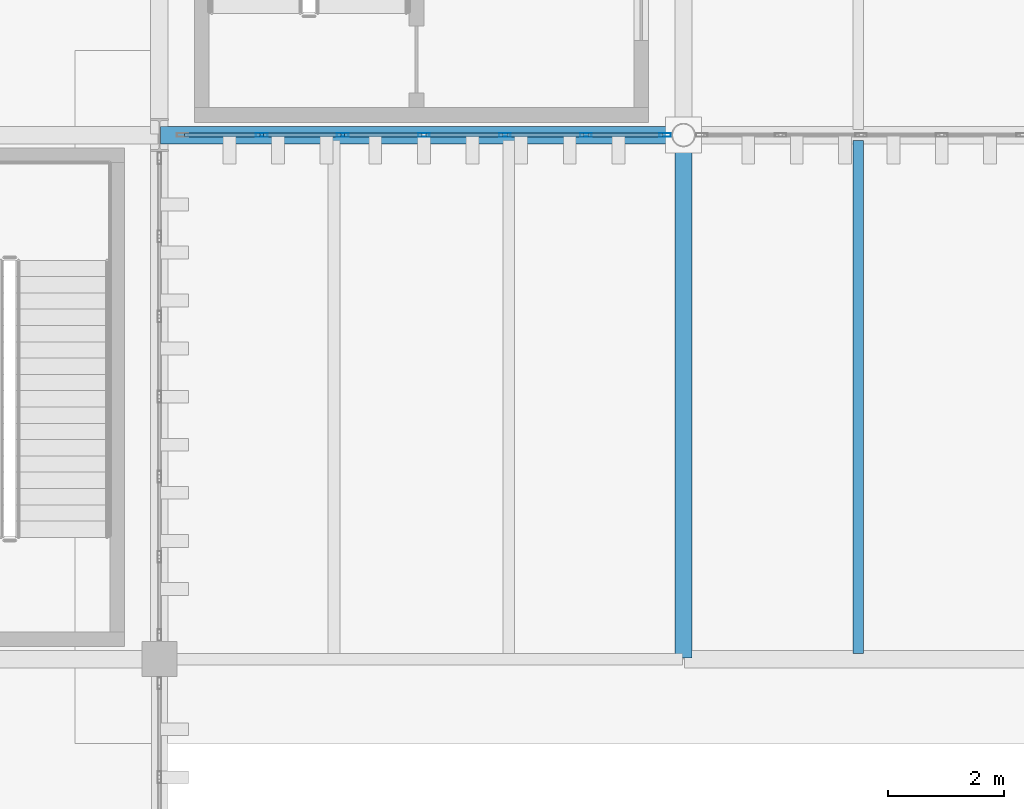
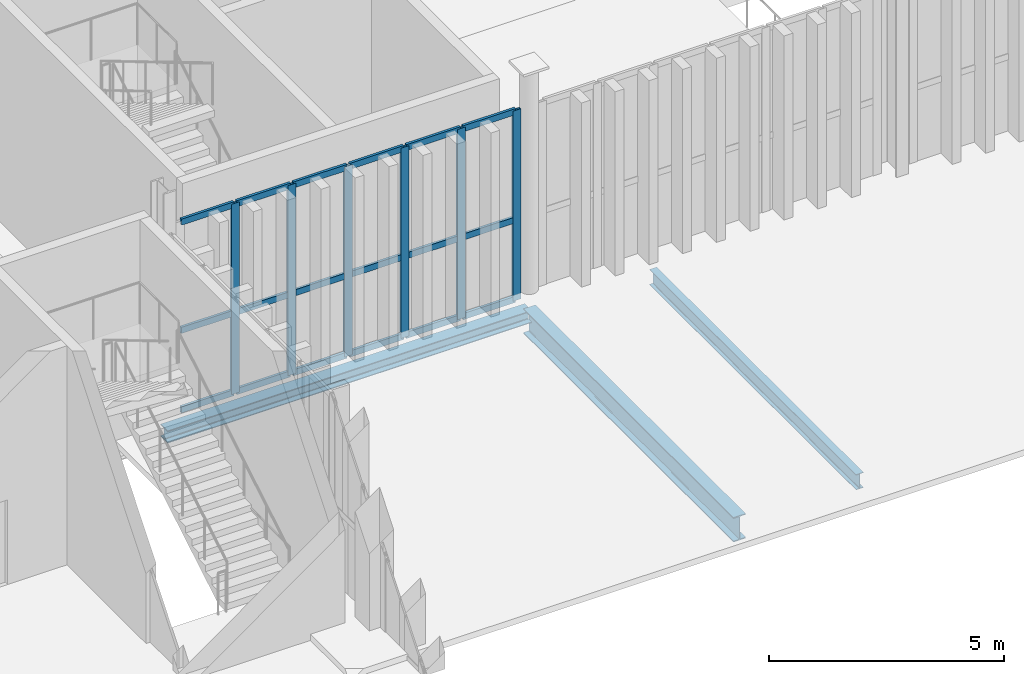
# One storey, part 61 of 211: 24 members, 3 beams, 1 element without a shape of its own.
"""IFC4 building model written with IfcOpenShell, lengths in metres."""

from ifc_helpers import new_model, si_unit, direction, frame, origin, origin_2d, place, context, subcontext, project, spatial, hollow_rectangle, i_section, extrude, material, layer, layer_set, material_profile, profile_set, type_object, element, aggregate, save


model = new_model("IFC4")

# Units and contexts
model_context = context("Model", 3, precision=1e-05, world=origin(), true_north=direction((0.0, 1.0)))
body_context = subcontext(model_context, "Body", "Model", "MODEL_VIEW")
ifc_project = project(units=[si_unit("LENGTHUNIT", "METRE"), si_unit("AREAUNIT", "SQUARE_METRE"), si_unit("VOLUMEUNIT", "CUBIC_METRE"), si_unit("PLANEANGLEUNIT", "RADIAN"), si_unit("MASSUNIT", "GRAM", prefix="KILO")], contexts=[model_context])

# Site, building, storey
site_placement = place(None, origin())
site = spatial("IfcSite", under=ifc_project, at=site_placement, CompositionType="ELEMENT")
building_placement = place(site_placement, origin())
building = spatial("IfcBuilding", under=site, at=building_placement, Name="Barlavento Convention Centre", CompositionType="ELEMENT")
storey_placement = place(building_placement, frame((0.0, 0.0, 6.0)))
storey = spatial("IfcBuildingStorey", under=building, at=storey_placement, Name="L01", CompositionType="ELEMENT", Elevation=6.0)

# Curtain wall, members
ifc_material_1 = material(Name="Powder-coated aluminium and Low-E glass", Category="aluminium")
ifc_layer = layer(ifc_material_1, 0.195068359375)
ifc_layer_set = layer_set([ifc_layer], Name="ARC-CW-FOY-L01")
curtain_wall_type = type_object("IfcCurtainWallType", Name="ARC-CW-FOY-L01", PredefinedType="NOTDEFINED", material=ifc_layer_set)
curtain_wall_placement = place(storey_placement, origin())
curtain_wall = element("IfcCurtainWall", 1, at=curtain_wall_placement, inside=storey, type_object=curtain_wall_type, Name="L01 unitised curtain wall CW03", PredefinedType="NOTDEFINED")
ifc_material_2 = material(Name="Powder-coated aluminium", Category="aluminium")
ifc_material_profile_1 = material_profile(ifc_material_2, hollow_rectangle(XDim=0.06494140625, YDim=0.199951171875, WallThickness=0.0048828125, at=origin_2d()), Name="AL-MULL 65x200x5")
ifc_profile_set_1 = profile_set([ifc_material_profile_1], Name="Powder-coated aluminium")
member_type_1 = type_object("IfcMemberType", Name="ARC-CWM-65X200", PredefinedType="MULLION", material=ifc_profile_set_1)
member_1_placement = place(storey_placement, frame((64.7578125, 45.0, 0.0), z_axis=(0.0, 0.0, 1.0), x_axis=(0.0, 1.0, 0.0)))
member_1 = element("IfcMember", 2, at=member_1_placement, type_object=member_type_1, Name="CW03 mullion 2", PredefinedType="MULLION", context=body_context, shape_type="SweptSolid", body=[
    extrude(hollow_rectangle(XDim=0.06494140625, YDim=0.199951171875, WallThickness=0.0048828125, at=origin_2d()), origin(), (0.0, 0.0, 1.0), 4.949951171875),
])
member_2_placement = place(storey_placement, frame((66.149658203125, 45.0, 0.0), z_axis=(0.0, 0.0, 1.0), x_axis=(0.0, 1.0, 0.0)))
member_2 = element("IfcMember", 3, at=member_2_placement, type_object=member_type_1, Name="CW03 mullion 3", PredefinedType="MULLION", context=body_context, shape_type="SweptSolid", body=[
    extrude(hollow_rectangle(XDim=0.06494140625, YDim=0.199951171875, WallThickness=0.0048828125, at=origin_2d()), origin(), (0.0, 0.0, 1.0), 4.949951171875),
])
member_3_placement = place(storey_placement, frame((67.54150390625, 45.0, 0.0), z_axis=(0.0, 0.0, 1.0), x_axis=(0.0, 1.0, 0.0)))
member_3 = element("IfcMember", 4, at=member_3_placement, type_object=member_type_1, Name="CW03 mullion 4", PredefinedType="MULLION", context=body_context, shape_type="SweptSolid", body=[
    extrude(hollow_rectangle(XDim=0.06494140625, YDim=0.199951171875, WallThickness=0.0048828125, at=origin_2d()), origin(), (0.0, 0.0, 1.0), 4.949951171875),
])
member_4_placement = place(storey_placement, frame((68.93310546875, 45.0, 0.0), z_axis=(0.0, 0.0, 1.0), x_axis=(0.0, 1.0, 0.0)))
member_4 = element("IfcMember", 5, at=member_4_placement, type_object=member_type_1, Name="CW03 mullion 5", PredefinedType="MULLION", context=body_context, shape_type="SweptSolid", body=[
    extrude(hollow_rectangle(XDim=0.06494140625, YDim=0.199951171875, WallThickness=0.0048828125, at=origin_2d()), origin(), (0.0, 0.0, 1.0), 4.949951171875),
])
member_5_placement = place(storey_placement, frame((70.324951171875, 45.0, 0.0), z_axis=(0.0, 0.0, 1.0), x_axis=(0.0, 1.0, 0.0)))
member_5 = element("IfcMember", 6, at=member_5_placement, type_object=member_type_1, Name="CW03 mullion 6", PredefinedType="MULLION", context=body_context, shape_type="SweptSolid", body=[
    extrude(hollow_rectangle(XDim=0.06494140625, YDim=0.199951171875, WallThickness=0.0048828125, at=origin_2d()), origin(), (0.0, 0.0, 1.0), 4.949951171875),
])
member_6_placement = place(storey_placement, frame((71.684326171875, 45.0, 0.0), z_axis=(0.0, 0.0, 1.0), x_axis=(0.0, 1.0, 0.0)))
member_6 = element("IfcMember", 7, at=member_6_placement, type_object=member_type_1, Name="CW03 mullion 7", PredefinedType="MULLION", context=body_context, shape_type="SweptSolid", body=[
    extrude(hollow_rectangle(XDim=0.06494140625, YDim=0.199951171875, WallThickness=0.0048828125, at=origin_2d()), origin(), (0.0, 0.0, 1.0), 4.949951171875),
])
ifc_material_profile_2 = material_profile(ifc_material_2, hollow_rectangle(XDim=0.06494140625, YDim=0.159912109375, WallThickness=0.0048828125, at=origin_2d()), Name="AL-TRAN 65x160x5")
ifc_profile_set_2 = profile_set([ifc_material_profile_2], Name="Powder-coated aluminium")
member_type_2 = type_object("IfcMemberType", Name="ARC-CWT-65X160", PredefinedType="USERDEFINED", material=ifc_profile_set_2)
member_7_placement = place(storey_placement, frame((63.430908203125, 45.0, 0.032470703125), z_axis=(1.0, 0.0, 0.0), x_axis=(0.0, 1.0, 0.0)))
member_7 = element("IfcMember", 8, at=member_7_placement, type_object=member_type_2, Name="CW03 transom 1.1", ObjectType="TRANSOM", PredefinedType="USERDEFINED", context=body_context, shape_type="SweptSolid", body=[
    extrude(hollow_rectangle(XDim=0.06494140625, YDim=0.159912109375, WallThickness=0.0048828125, at=origin_2d()), origin(), (0.0, 0.0, 1.0), 1.29443359375),
])
member_8_placement = place(storey_placement, frame((63.430908203125, 45.0, 2.10009765625), z_axis=(1.0, 0.0, 0.0), x_axis=(0.0, 1.0, 0.0)))
member_8 = element("IfcMember", 9, at=member_8_placement, type_object=member_type_2, Name="CW03 transom 1.2", ObjectType="TRANSOM", PredefinedType="USERDEFINED", context=body_context, shape_type="SweptSolid", body=[
    extrude(hollow_rectangle(XDim=0.06494140625, YDim=0.159912109375, WallThickness=0.0048828125, at=origin_2d()), origin(), (0.0, 0.0, 1.0), 1.29443359375),
])
member_9_placement = place(storey_placement, frame((63.430908203125, 45.0, 4.91748046875), z_axis=(1.0, 0.0, 0.0), x_axis=(0.0, 1.0, 0.0)))
member_9 = element("IfcMember", 10, at=member_9_placement, type_object=member_type_2, Name="CW03 transom 1.3", ObjectType="TRANSOM", PredefinedType="USERDEFINED", context=body_context, shape_type="SweptSolid", body=[
    extrude(hollow_rectangle(XDim=0.06494140625, YDim=0.159912109375, WallThickness=0.0048828125, at=origin_2d()), origin(), (0.0, 0.0, 1.0), 1.29443359375),
])
member_10_placement = place(storey_placement, frame((64.790283203125, 45.0, 0.032470703125), z_axis=(1.0, 0.0, 0.0), x_axis=(0.0, 1.0, 0.0)))
member_10 = element("IfcMember", 11, at=member_10_placement, type_object=member_type_2, Name="CW03 transom 2.1", ObjectType="TRANSOM", PredefinedType="USERDEFINED", context=body_context, shape_type="SweptSolid", body=[
    extrude(hollow_rectangle(XDim=0.06494140625, YDim=0.159912109375, WallThickness=0.0048828125, at=origin_2d()), origin(), (0.0, 0.0, 1.0), 1.326904296875),
])
member_11_placement = place(storey_placement, frame((64.790283203125, 45.0, 2.10009765625), z_axis=(1.0, 0.0, 0.0), x_axis=(0.0, 1.0, 0.0)))
member_11 = element("IfcMember", 12, at=member_11_placement, type_object=member_type_2, Name="CW03 transom 2.2", ObjectType="TRANSOM", PredefinedType="USERDEFINED", context=body_context, shape_type="SweptSolid", body=[
    extrude(hollow_rectangle(XDim=0.06494140625, YDim=0.159912109375, WallThickness=0.0048828125, at=origin_2d()), origin(), (0.0, 0.0, 1.0), 1.326904296875),
])
member_12_placement = place(storey_placement, frame((64.790283203125, 45.0, 4.91748046875), z_axis=(1.0, 0.0, 0.0), x_axis=(0.0, 1.0, 0.0)))
member_12 = element("IfcMember", 13, at=member_12_placement, type_object=member_type_2, Name="CW03 transom 2.3", ObjectType="TRANSOM", PredefinedType="USERDEFINED", context=body_context, shape_type="SweptSolid", body=[
    extrude(hollow_rectangle(XDim=0.06494140625, YDim=0.159912109375, WallThickness=0.0048828125, at=origin_2d()), origin(), (0.0, 0.0, 1.0), 1.326904296875),
])
member_13_placement = place(storey_placement, frame((66.18212890625, 45.0, 0.032470703125), z_axis=(1.0, 0.0, 0.0), x_axis=(0.0, 1.0, 0.0)))
member_13 = element("IfcMember", 14, at=member_13_placement, type_object=member_type_2, Name="CW03 transom 3.1", ObjectType="TRANSOM", PredefinedType="USERDEFINED", context=body_context, shape_type="SweptSolid", body=[
    extrude(hollow_rectangle(XDim=0.06494140625, YDim=0.159912109375, WallThickness=0.0048828125, at=origin_2d()), origin(), (0.0, 0.0, 1.0), 1.32666015625),
])
member_14_placement = place(storey_placement, frame((66.18212890625, 45.0, 2.10009765625), z_axis=(1.0, 0.0, 0.0), x_axis=(0.0, 1.0, 0.0)))
member_14 = element("IfcMember", 15, at=member_14_placement, type_object=member_type_2, Name="CW03 transom 3.2", ObjectType="TRANSOM", PredefinedType="USERDEFINED", context=body_context, shape_type="SweptSolid", body=[
    extrude(hollow_rectangle(XDim=0.06494140625, YDim=0.159912109375, WallThickness=0.0048828125, at=origin_2d()), origin(), (0.0, 0.0, 1.0), 1.32666015625),
])
member_15_placement = place(storey_placement, frame((66.18212890625, 45.0, 4.91748046875), z_axis=(1.0, 0.0, 0.0), x_axis=(0.0, 1.0, 0.0)))
member_15 = element("IfcMember", 16, at=member_15_placement, type_object=member_type_2, Name="CW03 transom 3.3", ObjectType="TRANSOM", PredefinedType="USERDEFINED", context=body_context, shape_type="SweptSolid", body=[
    extrude(hollow_rectangle(XDim=0.06494140625, YDim=0.159912109375, WallThickness=0.0048828125, at=origin_2d()), origin(), (0.0, 0.0, 1.0), 1.32666015625),
])
member_16_placement = place(storey_placement, frame((67.573974609375, 45.0, 0.032470703125), z_axis=(1.0, 0.0, 0.0), x_axis=(0.0, 1.0, 0.0)))
member_16 = element("IfcMember", 17, at=member_16_placement, type_object=member_type_2, Name="CW03 transom 4.1", ObjectType="TRANSOM", PredefinedType="USERDEFINED", context=body_context, shape_type="SweptSolid", body=[
    extrude(hollow_rectangle(XDim=0.06494140625, YDim=0.159912109375, WallThickness=0.0048828125, at=origin_2d()), origin(), (0.0, 0.0, 1.0), 1.32666015625),
])
member_17_placement = place(storey_placement, frame((67.573974609375, 45.0, 2.10009765625), z_axis=(1.0, 0.0, 0.0), x_axis=(0.0, 1.0, 0.0)))
member_17 = element("IfcMember", 18, at=member_17_placement, type_object=member_type_2, Name="CW03 transom 4.2", ObjectType="TRANSOM", PredefinedType="USERDEFINED", context=body_context, shape_type="SweptSolid", body=[
    extrude(hollow_rectangle(XDim=0.06494140625, YDim=0.159912109375, WallThickness=0.0048828125, at=origin_2d()), origin(), (0.0, 0.0, 1.0), 1.32666015625),
])
member_18_placement = place(storey_placement, frame((67.573974609375, 45.0, 4.91748046875), z_axis=(1.0, 0.0, 0.0), x_axis=(0.0, 1.0, 0.0)))
member_18 = element("IfcMember", 19, at=member_18_placement, type_object=member_type_2, Name="CW03 transom 4.3", ObjectType="TRANSOM", PredefinedType="USERDEFINED", context=body_context, shape_type="SweptSolid", body=[
    extrude(hollow_rectangle(XDim=0.06494140625, YDim=0.159912109375, WallThickness=0.0048828125, at=origin_2d()), origin(), (0.0, 0.0, 1.0), 1.32666015625),
])
member_19_placement = place(storey_placement, frame((68.9658203125, 45.0, 0.032470703125), z_axis=(1.0, 0.0, 0.0), x_axis=(0.0, 1.0, 0.0)))
member_19 = element("IfcMember", 20, at=member_19_placement, type_object=member_type_2, Name="CW03 transom 5.1", ObjectType="TRANSOM", PredefinedType="USERDEFINED", context=body_context, shape_type="SweptSolid", body=[
    extrude(hollow_rectangle(XDim=0.06494140625, YDim=0.159912109375, WallThickness=0.0048828125, at=origin_2d()), origin(), (0.0, 0.0, 1.0), 1.32666015625),
])
member_20_placement = place(storey_placement, frame((68.9658203125, 45.0, 2.10009765625), z_axis=(1.0, 0.0, 0.0), x_axis=(0.0, 1.0, 0.0)))
member_20 = element("IfcMember", 21, at=member_20_placement, type_object=member_type_2, Name="CW03 transom 5.2", ObjectType="TRANSOM", PredefinedType="USERDEFINED", context=body_context, shape_type="SweptSolid", body=[
    extrude(hollow_rectangle(XDim=0.06494140625, YDim=0.159912109375, WallThickness=0.0048828125, at=origin_2d()), origin(), (0.0, 0.0, 1.0), 1.32666015625),
])
member_21_placement = place(storey_placement, frame((68.9658203125, 45.0, 4.91748046875), z_axis=(1.0, 0.0, 0.0), x_axis=(0.0, 1.0, 0.0)))
member_21 = element("IfcMember", 22, at=member_21_placement, type_object=member_type_2, Name="CW03 transom 5.3", ObjectType="TRANSOM", PredefinedType="USERDEFINED", context=body_context, shape_type="SweptSolid", body=[
    extrude(hollow_rectangle(XDim=0.06494140625, YDim=0.159912109375, WallThickness=0.0048828125, at=origin_2d()), origin(), (0.0, 0.0, 1.0), 1.32666015625),
])
member_22_placement = place(storey_placement, frame((70.357421875, 45.0, 0.032470703125), z_axis=(1.0, 0.0, 0.0), x_axis=(0.0, 1.0, 0.0)))
member_22 = element("IfcMember", 23, at=member_22_placement, type_object=member_type_2, Name="CW03 transom 6.1", ObjectType="TRANSOM", PredefinedType="USERDEFINED", context=body_context, shape_type="SweptSolid", body=[
    extrude(hollow_rectangle(XDim=0.06494140625, YDim=0.159912109375, WallThickness=0.0048828125, at=origin_2d()), origin(), (0.0, 0.0, 1.0), 1.29443359375),
])
member_23_placement = place(storey_placement, frame((70.357421875, 45.0, 2.10009765625), z_axis=(1.0, 0.0, 0.0), x_axis=(0.0, 1.0, 0.0)))
member_23 = element("IfcMember", 24, at=member_23_placement, type_object=member_type_2, Name="CW03 transom 6.2", ObjectType="TRANSOM", PredefinedType="USERDEFINED", context=body_context, shape_type="SweptSolid", body=[
    extrude(hollow_rectangle(XDim=0.06494140625, YDim=0.159912109375, WallThickness=0.0048828125, at=origin_2d()), origin(), (0.0, 0.0, 1.0), 1.29443359375),
])
member_24_placement = place(storey_placement, frame((70.357421875, 45.0, 4.91748046875), z_axis=(1.0, 0.0, 0.0), x_axis=(0.0, 1.0, 0.0)))
member_24 = element("IfcMember", 25, at=member_24_placement, type_object=member_type_2, Name="CW03 transom 6.3", ObjectType="TRANSOM", PredefinedType="USERDEFINED", context=body_context, shape_type="SweptSolid", body=[
    extrude(hollow_rectangle(XDim=0.06494140625, YDim=0.159912109375, WallThickness=0.0048828125, at=origin_2d()), origin(), (0.0, 0.0, 1.0), 1.29443359375),
])
aggregate(curtain_wall, [member_1, member_2, member_3, member_4, member_5, member_6, member_7, member_8, member_9, member_10, member_11, member_12, member_13, member_14, member_15, member_16, member_17, member_18, member_19, member_20, member_21, member_22, member_23, member_24])

# Beams
ifc_material_3 = material(Name="Steel S355", Category="steel")
ifc_material_profile_3 = material_profile(ifc_material_3, i_section(OverallWidth=0.179931640625, OverallDepth=0.39990234375, WebThickness=0.008544921875, FlangeThickness=0.013427734375, FilletRadius=0.02099609375, at=origin_2d()), Name="IPE 400")
ifc_profile_set_3 = profile_set([ifc_material_profile_3], Name="Steel S355")
beam_type_1 = type_object("IfcBeamType", Name="STR-BM-JST-IPE400", PredefinedType="JOIST", material=ifc_profile_set_3)
beam_1_placement = place(storey_placement, frame((75.0, 36.094970703125, -0.489990234375), z_axis=(0.0, 1.0, 0.0), x_axis=(-1.0, 0.0, 0.0)))
element("IfcBeam", 26, at=beam_1_placement, inside=storey, type_object=beam_type_1, Name="L01 composite floor joist SJ04", PredefinedType="JOIST", context=body_context, shape_type="SweptSolid", body=[
    extrude(i_section(OverallWidth=0.179931640625, OverallDepth=0.39990234375, WebThickness=0.008544921875, FlangeThickness=0.013427734375, FilletRadius=0.02099609375, at=origin_2d()), origin(), (0.0, 0.0, 1.0), 8.81005859375),
])
ifc_material_profile_4 = material_profile(ifc_material_3, i_section(OverallWidth=0.300048828125, OverallDepth=0.639892578125, WebThickness=0.013427734375, FlangeThickness=0.02587890625, FilletRadius=0.027099609375, at=origin_2d()), Name="HEA 650")
ifc_profile_set_4 = profile_set([ifc_material_profile_4], Name="Steel S355")
beam_type_2 = type_object("IfcBeamType", Name="STR-BM-PRI-HEA650", PredefinedType="BEAM", material=ifc_profile_set_4)
beam_2_placement = place(storey_placement, frame((72.0, 36.02001953125, -0.610107421875), z_axis=(0.0, 1.0, 0.0), x_axis=(-1.0, 0.0, 0.0)))
element("IfcBeam", 27, at=beam_2_placement, inside=storey, type_object=beam_type_2, Name="L01 grid girder BG17", PredefinedType="BEAM", context=body_context, shape_type="SweptSolid", body=[
    extrude(i_section(OverallWidth=0.300048828125, OverallDepth=0.639892578125, WebThickness=0.013427734375, FlangeThickness=0.02587890625, FilletRadius=0.027099609375, at=origin_2d()), origin(), (0.0, 0.0, 1.0), 8.9599609375),
])
ifc_material_profile_5 = material_profile(ifc_material_3, i_section(OverallWidth=0.300048828125, OverallDepth=0.320068359375, WebThickness=0.011474609375, FlangeThickness=0.0205078125, FilletRadius=0.027099609375, at=origin_2d()), Name="HEB 320")
ifc_profile_set_5 = profile_set([ifc_material_profile_5], Name="Steel S355")
beam_type_3 = type_object("IfcBeamType", Name="STR-BM-PRI-HEB320", PredefinedType="BEAM", material=ifc_profile_set_5)
beam_3_placement = place(storey_placement, frame((63.02001953125, 45.0, -0.4599609375), z_axis=(1.0, 0.0, 0.0), x_axis=(0.0, 1.0, 0.0)))
element("IfcBeam", 28, at=beam_3_placement, inside=storey, type_object=beam_type_3, Name="L01 primary girder BG13", PredefinedType="BEAM", context=body_context, shape_type="SweptSolid", body=[
    extrude(i_section(OverallWidth=0.300048828125, OverallDepth=0.320068359375, WebThickness=0.011474609375, FlangeThickness=0.0205078125, FilletRadius=0.027099609375, at=origin_2d()), origin(), (0.0, 0.0, 1.0), 8.9599609375),
])

save(model, "model.ifc")
